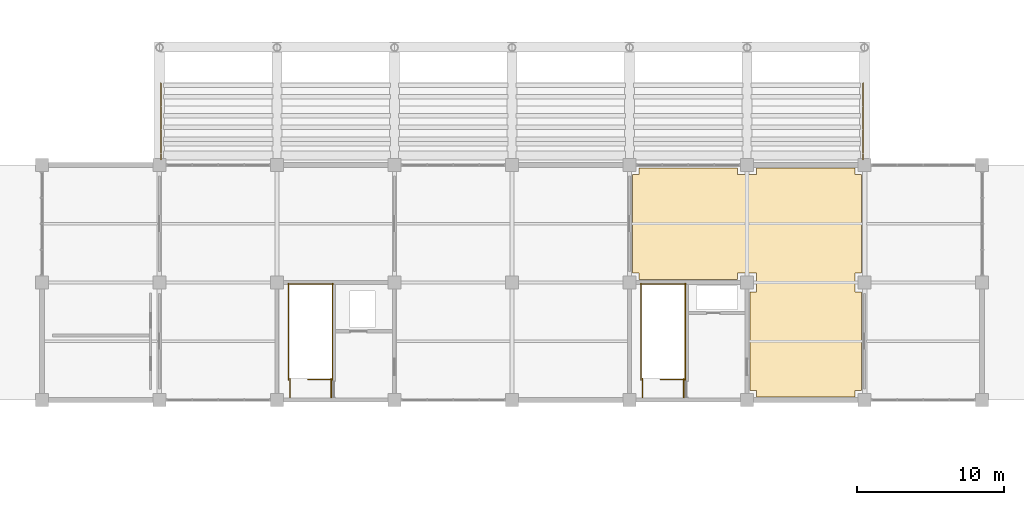
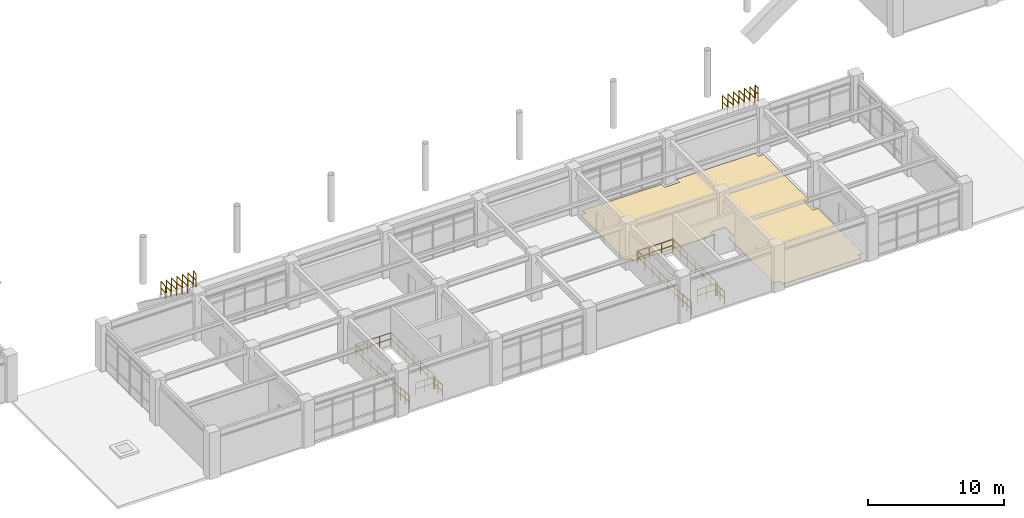
# One storey, part 108 of 118: 26 railings, 1 covering.
"""IFC4 building model written with IfcOpenShell, lengths in metres."""

from ifc_helpers import new_model, si_unit, direction, frame, origin, origin_2d, place, context, subcontext, project, spatial, polyline, circle, outline, extrude, material, layer, layer_set, type_object, element, save


model = new_model("IFC4")

# Units and contexts
model_context = context("Model", 3, precision=1e-05, world=origin(), true_north=direction((0.0, 1.0)))
body_context = subcontext(model_context, "Body", "Model", "MODEL_VIEW")
ifc_project = project(units=[si_unit("LENGTHUNIT", "METRE"), si_unit("AREAUNIT", "SQUARE_METRE"), si_unit("VOLUMEUNIT", "CUBIC_METRE"), si_unit("PLANEANGLEUNIT", "RADIAN"), si_unit("MASSUNIT", "GRAM", prefix="KILO")], contexts=[model_context])

# Site, building, storey
site_placement = place(None, origin())
site = spatial("IfcSite", under=ifc_project, at=site_placement, CompositionType="ELEMENT")
building_placement = place(site_placement, origin())
building = spatial("IfcBuilding", under=site, at=building_placement, Name="Haebicheon Civic Stadium", CompositionType="ELEMENT")
storey_placement = place(building_placement, frame((0.0, 0.0, 14.39990234375)))
storey = spatial("IfcBuildingStorey", under=building, at=storey_placement, Name="L04", CompositionType="ELEMENT", Elevation=14.39990234375)

# Covering
ifc_material_1 = material(Name="Quartz epoxy resin mortar", Category="concrete")
ifc_layer = layer(ifc_material_1, 0.030029296875, Name="Quartz epoxy resin mortar")
ifc_layer_set = layer_set([ifc_layer], Name="Quartz epoxy resin mortar")
covering_type = type_object("IfcCoveringType", Name="COV-FLR-EPX", PredefinedType="FLOORING", material=ifc_layer_set)
covering_placement = place(storey_placement, origin())
element("IfcCovering", 1, at=covering_placement, inside=storey, type_object=covering_type, material=ifc_layer_set, Name="L04 Hospitality Suite non-slip floor finish", PredefinedType="FLOORING", context=body_context, shape_type="SweptSolid", body=[
    extrude(outline(polyline([(120.64990234375, 16.199951171875), (120.64990234375, 16.64990234375), (120.199951171875, 16.64990234375), (120.199951171875, 23.35009765625), (120.64990234375, 23.35009765625), (120.64990234375, 24.64990234375), (119.35009765625, 24.64990234375), (119.35009765625, 24.199951171875), (112.64990234375, 24.199951171875), (112.64990234375, 24.64990234375), (112.199951171875, 24.64990234375), (112.199951171875, 31.35009765625), (112.64990234375, 31.35009765625), (112.64990234375, 31.800048828125), (119.35009765625, 31.800048828125), (119.35009765625, 31.35009765625), (120.64990234375, 31.35009765625), (120.64990234375, 31.800048828125), (127.35009765625, 31.800048828125), (127.35009765625, 31.35009765625), (127.800048828125, 31.35009765625), (127.800048828125, 24.64990234375), (127.35009765625, 24.64990234375), (127.35009765625, 23.35009765625), (127.800048828125, 23.35009765625), (127.800048828125, 16.64990234375), (127.35009765625, 16.64990234375), (127.35009765625, 16.199951171875), (120.64990234375, 16.199951171875)])), origin(), (0.0, 0.0, 1.0), 0.030029296875),
])

# Railings
ifc_material_2 = material(Name="Stainless steel 316 and laminated glass", Category="steel")
railing_type_1 = type_object("IfcRailingType", Name="RL-BAL-1200", PredefinedType="BALUSTRADE", material=ifc_material_2)
for number, where, name in (
    (2, (80.10009765625, 36.840087890625, 0.3330078125), "TIER-S-U end-aisle side guard W.4"),
    (3, (127.89990234375, 36.840087890625, 0.3330078125), "TIER-S-U end-aisle side guard E.4"),
    (4, (80.10009765625, 36.0400390625, 0.97802734375), "TIER-S-U end-aisle side guard W.5"),
    (5, (127.89990234375, 36.0400390625, 0.97802734375), "TIER-S-U end-aisle side guard E.5"),
    (6, (80.10009765625, 35.239990234375, 1.6220703125), "TIER-S-U end-aisle side guard W.6"),
    (7, (127.89990234375, 35.239990234375, 1.6220703125), "TIER-S-U end-aisle side guard E.6"),
    (8, (80.10009765625, 34.43994140625, 2.26708984375), "TIER-S-U end-aisle side guard W.7"),
    (9, (127.89990234375, 34.43994140625, 2.26708984375), "TIER-S-U end-aisle side guard E.7"),
):
    element("IfcRailing", number, at=place(storey_placement, frame(where)), inside=storey, type_object=railing_type_1, material=ifc_material_2, Name=name, PredefinedType="BALUSTRADE", context=body_context, shape_type="SweptSolid", body=[
        extrude(circle(Radius=0.02392578125, at=origin_2d()), frame((0.0, 0.0, 1.17578125), z_axis=(0.0, 1.0, 0.0), x_axis=(-1.0, 0.0, 0.0)), (0.0, 0.0, 1.0), 0.719970703125),
        extrude(circle(Radius=0.02392578125, at=origin_2d()), frame((0.0, 0.0, 0.60009765625), z_axis=(0.0, 1.0, 0.0), x_axis=(-1.0, 0.0, 0.0)), (0.0, 0.0, 1.0), 0.719970703125),
        extrude(circle(Radius=0.02099609375, at=origin_2d()), origin(), (0.0, 0.0, 1.0), 1.15185546875),
        extrude(circle(Radius=0.02099609375, at=origin_2d()), frame((0.0, 0.719970703125, 0.0)), (0.0, 0.0, 1.0), 1.15185546875),
    ])
for number, where, name in (
    (10, (80.10009765625, 33.639892578125, 2.9111328125), "TIER-S-U end-aisle side guard W.8"),
    (11, (127.89990234375, 33.639892578125, 2.9111328125), "TIER-S-U end-aisle side guard E.8"),
):
    element("IfcRailing", number, at=place(storey_placement, frame(where)), inside=storey, type_object=railing_type_1, material=ifc_material_2, Name=name, PredefinedType="BALUSTRADE", context=body_context, shape_type="SweptSolid", body=[
        extrude(circle(Radius=0.02392578125, at=origin_2d()), frame((0.0, 0.0, 1.17578125), z_axis=(0.0, 1.0, 0.0), x_axis=(-1.0, 0.0, 0.0)), (0.0, 0.0, 1.0), 0.72021484375),
        extrude(circle(Radius=0.02392578125, at=origin_2d()), frame((0.0, 0.0, 0.60009765625), z_axis=(0.0, 1.0, 0.0), x_axis=(-1.0, 0.0, 0.0)), (0.0, 0.0, 1.0), 0.72021484375),
        extrude(circle(Radius=0.02099609375, at=origin_2d()), origin(), (0.0, 0.0, 1.0), 1.15185546875),
        extrude(circle(Radius=0.02099609375, at=origin_2d()), frame((0.0, 0.72021484375, 0.0)), (0.0, 0.0, 1.0), 1.15185546875),
    ])
for number, where, name in (
    (12, (80.10009765625, 32.840087890625, 3.55615234375), "TIER-S-U end-aisle side guard W.9"),
    (13, (127.89990234375, 32.840087890625, 3.55615234375), "TIER-S-U end-aisle side guard E.9"),
):
    element("IfcRailing", number, at=place(storey_placement, frame(where)), inside=storey, type_object=railing_type_1, material=ifc_material_2, Name=name, PredefinedType="BALUSTRADE", context=body_context, shape_type="SweptSolid", body=[
        extrude(circle(Radius=0.02392578125, at=origin_2d()), frame((0.0, 0.0, 1.17578125), z_axis=(0.0, 1.0, 0.0), x_axis=(-1.0, 0.0, 0.0)), (0.0, 0.0, 1.0), 0.719970703125),
        extrude(circle(Radius=0.02392578125, at=origin_2d()), frame((0.0, 0.0, 0.60009765625), z_axis=(0.0, 1.0, 0.0), x_axis=(-1.0, 0.0, 0.0)), (0.0, 0.0, 1.0), 0.719970703125),
        extrude(circle(Radius=0.02099609375, at=origin_2d()), origin(), (0.0, 0.0, 1.0), 1.15185546875),
        extrude(circle(Radius=0.02099609375, at=origin_2d()), frame((0.0, 0.719970703125, 0.0)), (0.0, 0.0, 1.0), 1.15185546875),
    ])
for number, where, name in (
    (14, (80.10009765625, 32.360107421875, 4.2001953125), "TIER-S-U end-aisle side guard W.10"),
    (15, (127.89990234375, 32.360107421875, 4.2001953125), "TIER-S-U end-aisle side guard E.10"),
):
    element("IfcRailing", number, at=place(storey_placement, frame(where)), inside=storey, type_object=railing_type_1, material=ifc_material_2, Name=name, PredefinedType="BALUSTRADE", context=body_context, shape_type="SweptSolid", body=[
        extrude(circle(Radius=0.02392578125, at=origin_2d()), frame((0.0, 0.0, 1.17578125), z_axis=(0.0, 1.0, 0.0), x_axis=(-1.0, 0.0, 0.0)), (0.0, 0.0, 1.0), 0.39990234375),
        extrude(circle(Radius=0.02392578125, at=origin_2d()), frame((0.0, 0.0, 0.60009765625), z_axis=(0.0, 1.0, 0.0), x_axis=(-1.0, 0.0, 0.0)), (0.0, 0.0, 1.0), 0.39990234375),
        extrude(circle(Radius=0.02099609375, at=origin_2d()), origin(), (0.0, 0.0, 1.0), 1.15185546875),
        extrude(circle(Radius=0.02099609375, at=origin_2d()), frame((0.0, 0.39990234375, 0.0)), (0.0, 0.0, 1.0), 1.15185546875),
    ])
ifc_material_3 = material(Name="Galvanised painted steel SM355", Category="steel")
railing_type_2 = type_object("IfcRailingType", Name="RL-GRD-1150", PredefinedType="GUARDRAIL", material=ifc_material_3)
railing_1_placement = place(storey_placement, frame((91.739990234375, 17.39990234375, 0.0)))
element("IfcRailing", 16, at=railing_1_placement, inside=storey, type_object=railing_type_2, material=ifc_material_3, Name="L04 ST-06 top well guard 1", PredefinedType="GUARDRAIL", context=body_context, shape_type="SweptSolid", body=[
    extrude(circle(Radius=0.02392578125, at=origin_2d()), frame((0.0, 0.0, 1.1259765625), z_axis=(-1.0, 0.0, 0.0), x_axis=(0.0, -1.0, 0.0)), (0.0, 0.0, 1.0), 1.619873046875),
    extrude(circle(Radius=0.02392578125, at=origin_2d()), frame((0.0, 0.0, 0.574951171875), z_axis=(-1.0, 0.0, 0.0), x_axis=(0.0, -1.0, 0.0)), (0.0, 0.0, 1.0), 1.619873046875),
    extrude(circle(Radius=0.02099609375, at=origin_2d()), origin(), (0.0, 0.0, 1.0), 1.101806640625),
    extrude(circle(Radius=0.02099609375, at=origin_2d()), frame((-0.81005859375, 0.0, 0.0)), (0.0, 0.0, 1.0), 1.101806640625),
    extrude(circle(Radius=0.02099609375, at=origin_2d()), frame((-1.619873046875, 0.0, 0.0)), (0.0, 0.0, 1.0), 1.101806640625),
])
for number, where, name in (
    (17, (91.7900390625, 17.35009765625, 0.0), "L04 ST-06 top well guard 2"),
    (18, (88.7900390625, 17.35009765625, 0.0), "L04 ST-06 top well guard 3"),
):
    element("IfcRailing", number, at=place(storey_placement, frame(where)), inside=storey, type_object=railing_type_2, material=ifc_material_3, Name=name, PredefinedType="GUARDRAIL", context=body_context, shape_type="SweptSolid", body=[
        extrude(circle(Radius=0.02392578125, at=origin_2d()), frame((0.0, 0.0, 1.1259765625), z_axis=(0.0, 1.0, 0.0), x_axis=(-1.0, 0.0, 0.0)), (0.0, 0.0, 1.0), 6.58984375),
        extrude(circle(Radius=0.02392578125, at=origin_2d()), frame((0.0, 0.0, 0.574951171875), z_axis=(0.0, 1.0, 0.0), x_axis=(-1.0, 0.0, 0.0)), (0.0, 0.0, 1.0), 6.58984375),
        extrude(circle(Radius=0.02099609375, at=origin_2d()), origin(), (0.0, 0.0, 1.0), 1.101806640625),
        extrude(circle(Radius=0.02099609375, at=origin_2d()), frame((0.0, 1.098388671875, 0.0)), (0.0, 0.0, 1.0), 1.101806640625),
        extrude(circle(Radius=0.02099609375, at=origin_2d()), frame((0.0, 2.196533203125, 0.0)), (0.0, 0.0, 1.0), 1.101806640625),
        extrude(circle(Radius=0.02099609375, at=origin_2d()), frame((0.0, 3.294921875, 0.0)), (0.0, 0.0, 1.0), 1.101806640625),
        extrude(circle(Radius=0.02099609375, at=origin_2d()), frame((0.0, 4.393310546875, 0.0)), (0.0, 0.0, 1.0), 1.101806640625),
        extrude(circle(Radius=0.02099609375, at=origin_2d()), frame((0.0, 5.491455078125, 0.0)), (0.0, 0.0, 1.0), 1.101806640625),
        extrude(circle(Radius=0.02099609375, at=origin_2d()), frame((0.0, 6.58984375, 0.0)), (0.0, 0.0, 1.0), 1.101806640625),
    ])
railing_2_placement = place(storey_placement, frame((91.840087890625, 23.889892578125, 0.0)))
element("IfcRailing", 19, at=railing_2_placement, inside=storey, type_object=railing_type_2, material=ifc_material_3, Name="L04 ST-06 top well guard 4", PredefinedType="GUARDRAIL", context=body_context, shape_type="SweptSolid", body=[
    extrude(circle(Radius=0.02392578125, at=origin_2d()), frame((0.0, 0.0, 1.1259765625), z_axis=(-1.0, 0.0, 0.0), x_axis=(0.0, -1.0, 0.0)), (0.0, 0.0, 1.0), 3.10009765625),
    extrude(circle(Radius=0.02392578125, at=origin_2d()), frame((0.0, 0.0, 0.574951171875), z_axis=(-1.0, 0.0, 0.0), x_axis=(0.0, -1.0, 0.0)), (0.0, 0.0, 1.0), 3.10009765625),
    extrude(circle(Radius=0.02099609375, at=origin_2d()), origin(), (0.0, 0.0, 1.0), 1.101806640625),
    extrude(circle(Radius=0.02099609375, at=origin_2d()), frame((-1.033447265625, 0.0, 0.0)), (0.0, 0.0, 1.0), 1.101806640625),
    extrude(circle(Radius=0.02099609375, at=origin_2d()), frame((-2.066650390625, 0.0, 0.0)), (0.0, 0.0, 1.0), 1.101806640625),
    extrude(circle(Radius=0.02099609375, at=origin_2d()), frame((-3.10009765625, 0.0, 0.0)), (0.0, 0.0, 1.0), 1.101806640625),
])
for number, where, name in (
    (20, (91.68994140625, 16.159912109375, 0.0), "L04 ST-06 top well guard 5"),
    (21, (88.889892578125, 16.159912109375, 0.0), "L04 ST-06 top well guard 6"),
):
    element("IfcRailing", number, at=place(storey_placement, frame(where)), inside=storey, type_object=railing_type_2, material=ifc_material_3, Name=name, PredefinedType="GUARDRAIL", context=body_context, shape_type="SweptSolid", body=[
        extrude(circle(Radius=0.02392578125, at=origin_2d()), frame((0.0, 0.0, 1.1259765625), z_axis=(0.0, 1.0, 0.0), x_axis=(-1.0, 0.0, 0.0)), (0.0, 0.0, 1.0), 1.2900390625),
        extrude(circle(Radius=0.02392578125, at=origin_2d()), frame((0.0, 0.0, 0.574951171875), z_axis=(0.0, 1.0, 0.0), x_axis=(-1.0, 0.0, 0.0)), (0.0, 0.0, 1.0), 1.2900390625),
        extrude(circle(Radius=0.02099609375, at=origin_2d()), origin(), (0.0, 0.0, 1.0), 1.101806640625),
        extrude(circle(Radius=0.02099609375, at=origin_2d()), frame((0.0, 0.64501953125, 0.0)), (0.0, 0.0, 1.0), 1.101806640625),
        extrude(circle(Radius=0.02099609375, at=origin_2d()), frame((0.0, 1.2900390625, 0.0)), (0.0, 0.0, 1.0), 1.101806640625),
    ])
railing_3_placement = place(storey_placement, frame((115.739990234375, 17.39990234375, 0.0)))
element("IfcRailing", 22, at=railing_3_placement, inside=storey, type_object=railing_type_2, material=ifc_material_3, Name="L04 ST-07 top well guard 1", PredefinedType="GUARDRAIL", context=body_context, shape_type="SweptSolid", body=[
    extrude(circle(Radius=0.02392578125, at=origin_2d()), frame((0.0, 0.0, 1.1259765625), z_axis=(-1.0, 0.0, 0.0), x_axis=(0.0, -1.0, 0.0)), (0.0, 0.0, 1.0), 1.639892578125),
    extrude(circle(Radius=0.02392578125, at=origin_2d()), frame((0.0, 0.0, 0.574951171875), z_axis=(-1.0, 0.0, 0.0), x_axis=(0.0, -1.0, 0.0)), (0.0, 0.0, 1.0), 1.639892578125),
    extrude(circle(Radius=0.02099609375, at=origin_2d()), origin(), (0.0, 0.0, 1.0), 1.101806640625),
    extrude(circle(Radius=0.02099609375, at=origin_2d()), frame((-0.81982421875, 0.0, 0.0)), (0.0, 0.0, 1.0), 1.101806640625),
    extrude(circle(Radius=0.02099609375, at=origin_2d()), frame((-1.639892578125, 0.0, 0.0)), (0.0, 0.0, 1.0), 1.101806640625),
])
for number, where, name in (
    (23, (115.7900390625, 17.35009765625, 0.0), "L04 ST-07 top well guard 2"),
    (24, (112.7900390625, 17.35009765625, 0.0), "L04 ST-07 top well guard 3"),
):
    element("IfcRailing", number, at=place(storey_placement, frame(where)), inside=storey, type_object=railing_type_2, material=ifc_material_3, Name=name, PredefinedType="GUARDRAIL", context=body_context, shape_type="SweptSolid", body=[
        extrude(circle(Radius=0.02392578125, at=origin_2d()), frame((0.0, 0.0, 1.1259765625), z_axis=(0.0, 1.0, 0.0), x_axis=(-1.0, 0.0, 0.0)), (0.0, 0.0, 1.0), 6.58984375),
        extrude(circle(Radius=0.02392578125, at=origin_2d()), frame((0.0, 0.0, 0.574951171875), z_axis=(0.0, 1.0, 0.0), x_axis=(-1.0, 0.0, 0.0)), (0.0, 0.0, 1.0), 6.58984375),
        extrude(circle(Radius=0.02099609375, at=origin_2d()), origin(), (0.0, 0.0, 1.0), 1.101806640625),
        extrude(circle(Radius=0.02099609375, at=origin_2d()), frame((0.0, 1.098388671875, 0.0)), (0.0, 0.0, 1.0), 1.101806640625),
        extrude(circle(Radius=0.02099609375, at=origin_2d()), frame((0.0, 2.196533203125, 0.0)), (0.0, 0.0, 1.0), 1.101806640625),
        extrude(circle(Radius=0.02099609375, at=origin_2d()), frame((0.0, 3.294921875, 0.0)), (0.0, 0.0, 1.0), 1.101806640625),
        extrude(circle(Radius=0.02099609375, at=origin_2d()), frame((0.0, 4.393310546875, 0.0)), (0.0, 0.0, 1.0), 1.101806640625),
        extrude(circle(Radius=0.02099609375, at=origin_2d()), frame((0.0, 5.491455078125, 0.0)), (0.0, 0.0, 1.0), 1.101806640625),
        extrude(circle(Radius=0.02099609375, at=origin_2d()), frame((0.0, 6.58984375, 0.0)), (0.0, 0.0, 1.0), 1.101806640625),
    ])
railing_4_placement = place(storey_placement, frame((115.840087890625, 23.889892578125, 0.0)))
element("IfcRailing", 25, at=railing_4_placement, inside=storey, type_object=railing_type_2, material=ifc_material_3, Name="L04 ST-07 top well guard 4", PredefinedType="GUARDRAIL", context=body_context, shape_type="SweptSolid", body=[
    extrude(circle(Radius=0.02392578125, at=origin_2d()), frame((0.0, 0.0, 1.1259765625), z_axis=(-1.0, 0.0, 0.0), x_axis=(0.0, -1.0, 0.0)), (0.0, 0.0, 1.0), 3.10009765625),
    extrude(circle(Radius=0.02392578125, at=origin_2d()), frame((0.0, 0.0, 0.574951171875), z_axis=(-1.0, 0.0, 0.0), x_axis=(0.0, -1.0, 0.0)), (0.0, 0.0, 1.0), 3.10009765625),
    extrude(circle(Radius=0.02099609375, at=origin_2d()), origin(), (0.0, 0.0, 1.0), 1.101806640625),
    extrude(circle(Radius=0.02099609375, at=origin_2d()), frame((-1.033447265625, 0.0, 0.0)), (0.0, 0.0, 1.0), 1.101806640625),
    extrude(circle(Radius=0.02099609375, at=origin_2d()), frame((-2.066650390625, 0.0, 0.0)), (0.0, 0.0, 1.0), 1.101806640625),
    extrude(circle(Radius=0.02099609375, at=origin_2d()), frame((-3.10009765625, 0.0, 0.0)), (0.0, 0.0, 1.0), 1.101806640625),
])
for number, where, name in (
    (26, (115.68994140625, 16.159912109375, 0.0), "L04 ST-07 top well guard 5"),
    (27, (112.889892578125, 16.159912109375, 0.0), "L04 ST-07 top well guard 6"),
):
    element("IfcRailing", number, at=place(storey_placement, frame(where)), inside=storey, type_object=railing_type_2, material=ifc_material_3, Name=name, PredefinedType="GUARDRAIL", context=body_context, shape_type="SweptSolid", body=[
        extrude(circle(Radius=0.02392578125, at=origin_2d()), frame((0.0, 0.0, 1.1259765625), z_axis=(0.0, 1.0, 0.0), x_axis=(-1.0, 0.0, 0.0)), (0.0, 0.0, 1.0), 1.2900390625),
        extrude(circle(Radius=0.02392578125, at=origin_2d()), frame((0.0, 0.0, 0.574951171875), z_axis=(0.0, 1.0, 0.0), x_axis=(-1.0, 0.0, 0.0)), (0.0, 0.0, 1.0), 1.2900390625),
        extrude(circle(Radius=0.02099609375, at=origin_2d()), origin(), (0.0, 0.0, 1.0), 1.101806640625),
        extrude(circle(Radius=0.02099609375, at=origin_2d()), frame((0.0, 0.64501953125, 0.0)), (0.0, 0.0, 1.0), 1.101806640625),
        extrude(circle(Radius=0.02099609375, at=origin_2d()), frame((0.0, 1.2900390625, 0.0)), (0.0, 0.0, 1.0), 1.101806640625),
    ])

save(model, "model.ifc")
